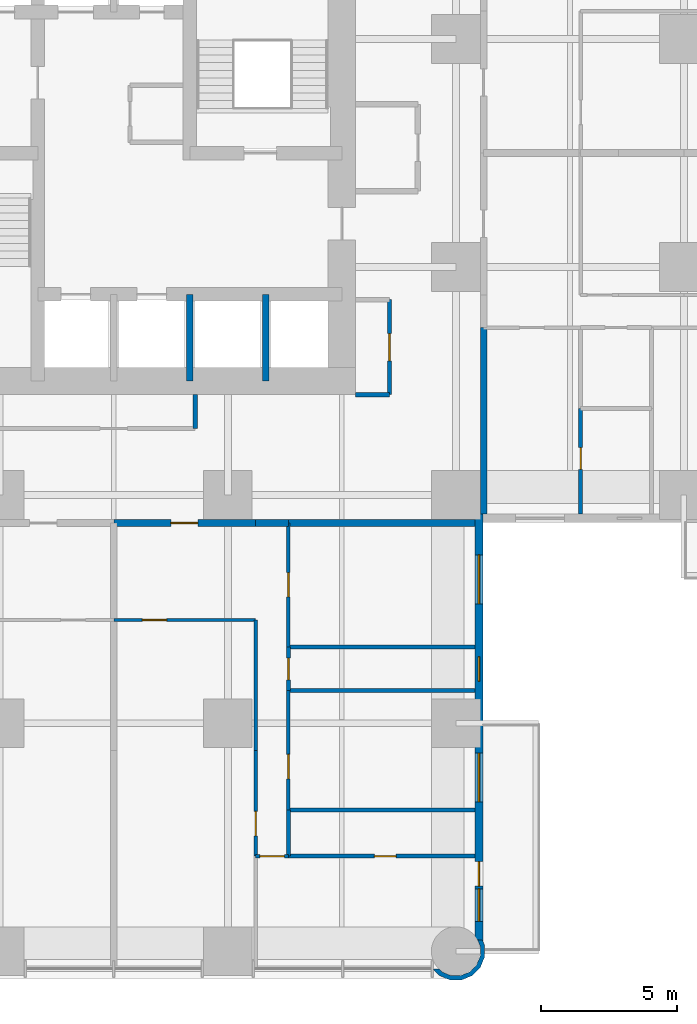
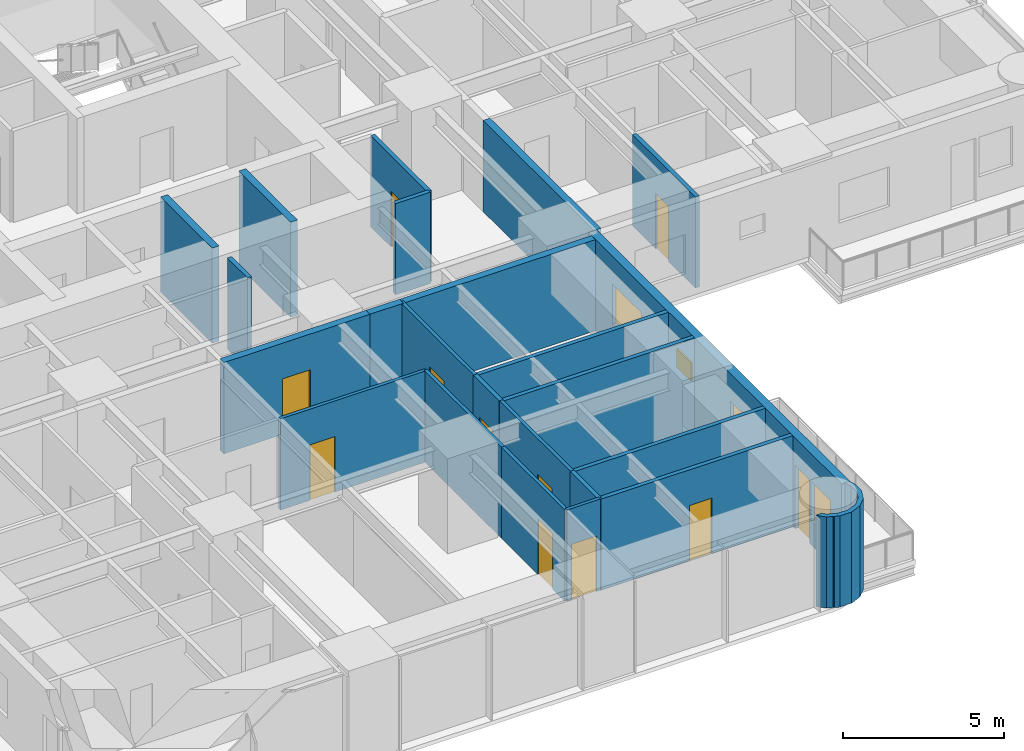
# One storey, part 9 of 17: 24 walls, 11 doors, 4 windows, 15 openings.
"""IFC4 building model written with IfcOpenShell, lengths in metres."""

from ifc_helpers import new_model, si_unit, direction, frame, frame_2d, origin, place, context, subcontext, project, spatial, polyline, rectangle, outline, extrude, material, layer, layer_set, type_object, element, fill, save


model = new_model("IFC4")

# Units and contexts
model_context = context("Model", 3, precision=1e-05, world=origin(), true_north=direction((0.0, 1.0)))
body_context = subcontext(model_context, "Body", "Model", "MODEL_VIEW")
ifc_project = project(units=[si_unit("LENGTHUNIT", "METRE"), si_unit("AREAUNIT", "SQUARE_METRE"), si_unit("VOLUMEUNIT", "CUBIC_METRE"), si_unit("PLANEANGLEUNIT", "RADIAN"), si_unit("MASSUNIT", "GRAM", prefix="KILO")], contexts=[model_context])

# Site, building, storey
site_placement = place(None, origin())
site = spatial("IfcSite", under=ifc_project, at=site_placement, CompositionType="ELEMENT")
building_placement = place(site_placement, origin())
building = spatial("IfcBuilding", under=site, at=building_placement, Name="Torre Alcanfor", CompositionType="ELEMENT")
storey_placement = place(building_placement, frame((0.0, 0.0, 77.699951171875)))
storey = spatial("IfcBuildingStorey", under=building, at=storey_placement, Name="L19", CompositionType="ELEMENT", Elevation=77.699951171875)

# Wall
ifc_material_1 = material(Name="Concrete block masonry, hollow blocks NMX-C-404 9 MPa", Category="masonry")
ifc_layer_1 = layer(ifc_material_1, 0.25)
ifc_layer_set_1 = layer_set([ifc_layer_1], Name="Apartment entrance wall 250 EI 60")
wall_type_1 = type_object("IfcWallType", Name="Apartment entrance wall 250 EI 60", PredefinedType="PARTITIONING", material=ifc_layer_set_1)
wall_1_placement = place(storey_placement, frame((43.02490234375, 22.970947265625, 0.0), z_axis=(0.0, 0.0, 1.0), x_axis=(0.0, -1.0, 0.0)))
element("IfcWall", 1, at=wall_1_placement, inside=storey, type_object=wall_type_1, Name="Partition L19-CORR / L19-E2-SERV", PredefinedType="PARTITIONING", context=body_context, shape_type="SweptSolid", body=[
    extrude(rectangle(XDim=6.870849609375, YDim=0.25, at=frame_2d((3.435546875, 0.0))), origin(), (0.0, 0.0, 1.0), 3.449951171875),
])

# Wall, opening, door
wall_2_placement = place(storey_placement, frame((34.62890625, 15.77490234375, 0.0), z_axis=(0.0, 0.0, 1.0), x_axis=(-1.0, 0.0, 0.0)))
wall_2 = element("IfcWall", 2, at=wall_2_placement, inside=storey, type_object=wall_type_1, Name="Partition L19-CORR / L19-S1-ZAG", PredefinedType="PARTITIONING", context=body_context, shape_type="SweptSolid", body=[
    extrude(rectangle(XDim=5.22900390625, YDim=0.25, at=frame_2d((2.614501953125, 0.0))), origin(), (0.0, 0.0, 1.0), 3.449951171875),
])
opening_1_placement = place(wall_2_placement, frame((2.12890625, 0.0, 0.0)))
opening_1 = element("IfcOpeningElement", 3, at=opening_1_placement, cuts=wall_2, Name="Opening D-A1", PredefinedType="OPENING", context=body_context, shape_type="SweptSolid", body=[
    extrude(rectangle(XDim=1.0, YDim=2.10009765625, at=frame_2d((0.5, 1.050048828125))), frame((0.0, 0.135009765625, 0.0), z_axis=(0.0, -1.0, 0.0), x_axis=(1.0, 0.0, 0.0)), (0.0, 0.0, 1.0), 0.27001953125),
])
ifc_material_2 = material(Name="Galvanised steel sheet ASTM A653", Category="steel")
door_type_1 = type_object("IfcDoorType", Name="Apartment entrance door FD60 1000x2100", OperationType="SINGLE_SWING_LEFT", PredefinedType="DOOR", material=ifc_material_2)
door_1_placement = place(opening_1_placement, origin())
door_1 = element("IfcDoor", 4, at=door_1_placement, inside=storey, type_object=door_type_1, Name="Apartment entrance L19-S1", OperationType="SINGLE_SWING_RIGHT", OverallHeight=2.10009765625, OverallWidth=1.0, PredefinedType="DOOR", context=body_context, shape_type="SweptSolid", body=[
    extrude(rectangle(XDim=1.0, YDim=2.10009765625, at=frame_2d((0.5, 1.050048828125))), frame((0.0, 0.02490234375, 0.0), z_axis=(0.0, -1.0, 0.0), x_axis=(1.0, 0.0, 0.0)), (0.0, 0.0, 1.0), 0.050048828125),
])
fill(opening_1, door_1)

# Walls
wall_3_placement = place(storey_placement, frame((35.8291015625, 15.77490234375, 0.0), z_axis=(0.0, 0.0, 1.0), x_axis=(-1.0, 0.0, 0.0)))
element("IfcWall", 5, at=wall_3_placement, inside=storey, type_object=wall_type_1, Name="Partition L19-CORR / L19-S1-HALL", PredefinedType="PARTITIONING", context=body_context, shape_type="SweptSolid", body=[
    extrude(rectangle(XDim=1.2001953125, YDim=0.25, at=frame_2d((0.60009765625, 0.0))), origin(), (0.0, 0.0, 1.0), 3.449951171875),
])
wall_4_placement = place(storey_placement, frame((42.699951171875, 15.77490234375, 0.0), z_axis=(0.0, 0.0, 1.0), x_axis=(-1.0, 0.0, 0.0)))
element("IfcWall", 6, at=wall_4_placement, inside=storey, type_object=wall_type_1, Name="Partition L19-CORR / L19-S1-BED3", PredefinedType="PARTITIONING", context=body_context, shape_type="SweptSolid", body=[
    extrude(rectangle(XDim=6.870849609375, YDim=0.25, at=frame_2d((3.435546875, 0.0))), origin(), (0.0, 0.0, 1.0), 3.449951171875),
])

# Wall, opening, door
ifc_material_3 = material(Name="Gypsum board on steel studs", Category="steel")
ifc_layer_2 = layer(ifc_material_3, 0.1201171875)
ifc_layer_set_2 = layer_set([ifc_layer_2], Name="Apartment partition 120")
wall_type_2 = type_object("IfcWallType", Name="Apartment partition 120", PredefinedType="PARTITIONING", material=ifc_layer_set_2)
wall_5_placement = place(storey_placement, frame((29.39990234375, 12.199951171875, 0.0), z_axis=(0.0, 0.0, 1.0), x_axis=(1.0, 0.0, 0.0)))
wall_5 = element("IfcWall", 7, at=wall_5_placement, inside=storey, type_object=wall_type_2, Name="Partition L19-S1-ZAG / L19-S1-KITCHEN", PredefinedType="PARTITIONING", context=body_context, shape_type="SweptSolid", body=[
    extrude(rectangle(XDim=5.22900390625, YDim=0.1201171875, at=frame_2d((2.614501953125, 0.0))), origin(), (0.0, 0.0, 1.0), 3.449951171875),
])
opening_2_placement = place(wall_5_placement, frame((1.050048828125, 0.0, 0.0)))
opening_2 = element("IfcOpeningElement", 8, at=opening_2_placement, cuts=wall_5, Name="Opening D-R1", PredefinedType="OPENING", context=body_context, shape_type="SweptSolid", body=[
    extrude(rectangle(XDim=0.89990234375, YDim=2.10009765625, at=frame_2d((0.449951171875, 1.050048828125))), frame((0.0, 0.070068359375, 0.0), z_axis=(0.0, -1.0, 0.0), x_axis=(1.0, 0.0, 0.0)), (0.0, 0.0, 1.0), 0.14013671875),
])
ifc_material_4 = material(Name="Timber", Category="wood")
door_type_2 = type_object("IfcDoorType", Name="Internal door 900x2100", OperationType="SINGLE_SWING_LEFT", PredefinedType="DOOR", material=ifc_material_4)
door_2_placement = place(opening_2_placement, frame((0.89990234375, 0.0, 0.0), z_axis=(0.0, 0.0, 1.0), x_axis=(-1.0, 0.0, 0.0)))
door_2 = element("IfcDoor", 9, at=door_2_placement, inside=storey, type_object=door_type_2, Name="Door L19-S1 kitchen", OperationType="SINGLE_SWING_RIGHT", OverallHeight=2.10009765625, OverallWidth=0.89990234375, PredefinedType="DOOR", context=body_context, shape_type="SweptSolid", body=[
    extrude(rectangle(XDim=0.89990234375, YDim=2.10009765625, at=frame_2d((0.449951171875, 1.050048828125))), frame((0.0, 0.025146484375, 0.0), z_axis=(0.0, -1.0, 0.0), x_axis=(1.0, 0.0, 0.0)), (0.0, 0.0, 1.0), 0.050048828125),
])
fill(opening_2, door_2)

# Wall
wall_6_placement = place(storey_placement, frame((34.62890625, 7.39990234375, 0.0), z_axis=(0.0, 0.0, 1.0), x_axis=(0.0, 1.0, 0.0)))
element("IfcWall", 10, at=wall_6_placement, inside=storey, type_object=wall_type_2, Name="Partition L19-S1-KITCHEN / L19-S1-HALL", PredefinedType="PARTITIONING", context=body_context, shape_type="SweptSolid", body=[
    extrude(rectangle(XDim=4.800048828125, YDim=0.1201171875, at=frame_2d((2.39990234375, 0.0))), origin(), (0.0, 0.0, 1.0), 3.449951171875),
])

# Wall, opening, door
wall_7_placement = place(storey_placement, frame((34.62890625, 3.5, 0.0), z_axis=(0.0, 0.0, 1.0), x_axis=(0.0, 1.0, 0.0)))
wall_7 = element("IfcWall", 11, at=wall_7_placement, inside=storey, type_object=wall_type_2, Name="Partition L19-S1-LIVING / L19-S1-HALL", PredefinedType="PARTITIONING", context=body_context, shape_type="SweptSolid", body=[
    extrude(rectangle(XDim=3.89990234375, YDim=0.1201171875, at=frame_2d((1.949951171875, 0.0))), origin(), (0.0, 0.0, 1.0), 3.449951171875),
])
opening_3_placement = place(wall_7_placement, frame((0.75, 0.0, 0.0)))
opening_3 = element("IfcOpeningElement", 12, at=opening_3_placement, cuts=wall_7, Name="Opening D-R1", PredefinedType="OPENING", context=body_context, shape_type="SweptSolid", body=[
    extrude(rectangle(XDim=0.89990234375, YDim=2.10009765625, at=frame_2d((0.449951171875, 1.050048828125))), frame((0.0, 0.070068359375, 0.0), z_axis=(0.0, -1.0, 0.0), x_axis=(1.0, 0.0, 0.0)), (0.0, 0.0, 1.0), 0.14013671875),
])
door_3_placement = place(opening_3_placement, origin())
door_3 = element("IfcDoor", 13, at=door_3_placement, inside=storey, type_object=door_type_2, Name="Door L19-S1 living", OperationType="SINGLE_SWING_RIGHT", OverallHeight=2.10009765625, OverallWidth=0.89990234375, PredefinedType="DOOR", context=body_context, shape_type="SweptSolid", body=[
    extrude(rectangle(XDim=0.89990234375, YDim=2.10009765625, at=frame_2d((0.449951171875, 1.050048828125))), frame((0.0, 0.02490234375, 0.0), z_axis=(0.0, -1.0, 0.0), x_axis=(1.0, 0.0, 0.0)), (0.0, 0.0, 1.0), 0.050048828125),
])
fill(opening_3, door_3)

wall_8_placement = place(storey_placement, frame((35.8291015625, 11.199951171875, 0.0), z_axis=(0.0, 0.0, 1.0), x_axis=(0.0, 1.0, 0.0)))
wall_8 = element("IfcWall", 14, at=wall_8_placement, inside=storey, type_object=wall_type_2, Name="Partition L19-S1-HALL / L19-S1-BED3", PredefinedType="PARTITIONING", context=body_context, shape_type="SweptSolid", body=[
    extrude(rectangle(XDim=4.574951171875, YDim=0.1201171875, at=frame_2d((2.28759765625, 0.0))), origin(), (0.0, 0.0, 1.0), 3.449951171875),
])
opening_4_placement = place(wall_8_placement, frame((1.85009765625, 0.0, 0.0)))
opening_4 = element("IfcOpeningElement", 15, at=opening_4_placement, cuts=wall_8, Name="Opening D-R1", PredefinedType="OPENING", context=body_context, shape_type="SweptSolid", body=[
    extrude(rectangle(XDim=0.89990234375, YDim=2.10009765625, at=frame_2d((0.449951171875, 1.050048828125))), frame((0.0, 0.070068359375, 0.0), z_axis=(0.0, -1.0, 0.0), x_axis=(1.0, 0.0, 0.0)), (0.0, 0.0, 1.0), 0.14013671875),
])
door_4_placement = place(opening_4_placement, frame((0.89990234375, 0.0, 0.0), z_axis=(0.0, 0.0, 1.0), x_axis=(-1.0, 0.0, 0.0)))
door_4 = element("IfcDoor", 16, at=door_4_placement, inside=storey, type_object=door_type_2, Name="Door L19-S1 bed3", OperationType="SINGLE_SWING_LEFT", OverallHeight=2.10009765625, OverallWidth=0.89990234375, PredefinedType="DOOR", context=body_context, shape_type="SweptSolid", body=[
    extrude(rectangle(XDim=0.89990234375, YDim=2.10009765625, at=frame_2d((0.449951171875, 1.050048828125))), frame((0.0, 0.025146484375, 0.0), z_axis=(0.0, -1.0, 0.0), x_axis=(1.0, 0.0, 0.0)), (0.0, 0.0, 1.0), 0.050048828125),
])
fill(opening_4, door_4)

wall_9_placement = place(storey_placement, frame((35.8291015625, 5.199951171875, 0.0), z_axis=(0.0, 0.0, 1.0), x_axis=(0.0, 1.0, 0.0)))
wall_9 = element("IfcWall", 17, at=wall_9_placement, inside=storey, type_object=wall_type_2, Name="Partition L19-S1-HALL / L19-S1-BED2", PredefinedType="PARTITIONING", context=body_context, shape_type="SweptSolid", body=[
    extrude(rectangle(XDim=4.400146484375, YDim=0.1201171875, at=frame_2d((2.2001953125, 0.0))), origin(), (0.0, 0.0, 1.0), 3.449951171875),
])
opening_5_placement = place(wall_9_placement, frame((1.14990234375, 0.0, 0.0)))
opening_5 = element("IfcOpeningElement", 18, at=opening_5_placement, cuts=wall_9, Name="Opening D-R1", PredefinedType="OPENING", context=body_context, shape_type="SweptSolid", body=[
    extrude(rectangle(XDim=0.89990234375, YDim=2.10009765625, at=frame_2d((0.449951171875, 1.050048828125))), frame((0.0, 0.070068359375, 0.0), z_axis=(0.0, -1.0, 0.0), x_axis=(1.0, 0.0, 0.0)), (0.0, 0.0, 1.0), 0.14013671875),
])
door_5_placement = place(opening_5_placement, frame((0.89990234375, 0.0, 0.0), z_axis=(0.0, 0.0, 1.0), x_axis=(-1.0, 0.0, 0.0)))
door_5 = element("IfcDoor", 19, at=door_5_placement, inside=storey, type_object=door_type_2, Name="Door L19-S1 bed2", OperationType="SINGLE_SWING_RIGHT", OverallHeight=2.10009765625, OverallWidth=0.89990234375, PredefinedType="DOOR", context=body_context, shape_type="SweptSolid", body=[
    extrude(rectangle(XDim=0.89990234375, YDim=2.10009765625, at=frame_2d((0.449951171875, 1.050048828125))), frame((0.0, 0.025146484375, 0.0), z_axis=(0.0, -1.0, 0.0), x_axis=(1.0, 0.0, 0.0)), (0.0, 0.0, 1.0), 0.050048828125),
])
fill(opening_5, door_5)

wall_10_placement = place(storey_placement, frame((34.62890625, 3.5, 0.0), z_axis=(0.0, 0.0, 1.0), x_axis=(1.0, 0.0, 0.0)))
wall_10 = element("IfcWall", 20, at=wall_10_placement, inside=storey, type_object=wall_type_2, Name="Partition L19-S1-HALL / L19-S1-MASTER", PredefinedType="PARTITIONING", context=body_context, shape_type="SweptSolid", body=[
    extrude(rectangle(XDim=1.2001953125, YDim=0.1201171875, at=frame_2d((0.60009765625, 0.0))), origin(), (0.0, 0.0, 1.0), 3.449951171875),
])
opening_6_placement = place(wall_10_placement, frame((0.15087890625, 0.0, 0.0)))
opening_6 = element("IfcOpeningElement", 21, at=opening_6_placement, cuts=wall_10, Name="Opening D-R1", PredefinedType="OPENING", context=body_context, shape_type="SweptSolid", body=[
    extrude(rectangle(XDim=0.89990234375, YDim=2.10009765625, at=frame_2d((0.449951171875, 1.050048828125))), frame((0.0, 0.070068359375, 0.0), z_axis=(0.0, -1.0, 0.0), x_axis=(1.0, 0.0, 0.0)), (0.0, 0.0, 1.0), 0.14013671875),
])
door_6_placement = place(opening_6_placement, frame((0.89990234375, 0.0, 0.0), z_axis=(0.0, 0.0, 1.0), x_axis=(-1.0, 0.0, 0.0)))
door_6 = element("IfcDoor", 22, at=door_6_placement, inside=storey, type_object=door_type_2, Name="Door L19-S1 master", OperationType="SINGLE_SWING_RIGHT", OverallHeight=2.10009765625, OverallWidth=0.89990234375, PredefinedType="DOOR", context=body_context, shape_type="SweptSolid", body=[
    extrude(rectangle(XDim=0.89990234375, YDim=2.10009765625, at=frame_2d((0.449951171875, 1.050048828125))), frame((0.0, 0.025146484375, 0.0), z_axis=(0.0, -1.0, 0.0), x_axis=(1.0, 0.0, 0.0)), (0.0, 0.0, 1.0), 0.050048828125),
])
fill(opening_6, door_6)

# Walls
ifc_material_5 = material(Name="Concrete f'c 70 MPa", Category="concrete")
ifc_layer_3 = layer(ifc_material_5, 0.25)
ifc_layer_set_3 = layer_set([ifc_layer_3], Name="Core shaft wall 250 f'c70")
wall_type_3 = type_object("IfcWallType", Name="Core shaft wall 250 f'c70", PredefinedType="SHEAR", material=ifc_layer_set_3)
for number, where, z_axis, x_axis, name in (
    (23, (32.199951171875, 21.0, 0.0), (0.0, 0.0, 1.0), (0.0, 1.0, 0.0), "Core wall X322S L19"),
    (24, (35.0, 21.0, 0.0), (0.0, 0.0, 1.0), (0.0, 1.0, 0.0), "Core wall X350S L19"),
):
    element("IfcWall", number, at=place(storey_placement, frame(where, z_axis=z_axis, x_axis=x_axis)), inside=storey, type_object=wall_type_3, Name=name, PredefinedType="SHEAR", context=body_context, shape_type="SweptSolid", body=[
        extrude(rectangle(XDim=3.199951171875, YDim=0.25, at=frame_2d((1.60009765625, 0.0))), origin(), (0.0, 0.0, 1.0), 3.60009765625),
    ])

# Wall, openings, door, windows
ifc_material_6 = material(Name="Limestone cladding", Category="masonry")
ifc_layer_4 = layer(ifc_material_6, 0.0400390625, Name="Facing")
ifc_material_7 = material(Name="Ventilated air cavity")
ifc_layer_5 = layer(ifc_material_7, 0.02001953125, ventilated=True, Name="Ventilated joint")
ifc_material_8 = material(Name="Mineral wool insulation", Category="insulation")
ifc_layer_6 = layer(ifc_material_8, 0.10009765625, Name="Insulation")
ifc_material_9 = material(Name="Concrete f'c 35 MPa", Category="concrete")
ifc_layer_7 = layer(ifc_material_9, 0.139892578125, Name="Backing")
ifc_layer_set_4 = layer_set([ifc_layer_4, ifc_layer_5, ifc_layer_6, ifc_layer_7], Name="External wall stone-clad 300")
wall_type_4 = type_object("IfcWallType", Name="External wall stone-clad 300", PredefinedType="SOLIDWALL", material=ifc_layer_set_4)
wall_11_placement = place(storey_placement, frame((42.85009765625, 0.39990234375, 0.0), z_axis=(0.0, 0.0, 1.0), x_axis=(0.0, 1.0, 0.0)))
wall_11 = element("IfcWall", 25, at=wall_11_placement, inside=storey, type_object=wall_type_4, Name="External wall L19 6", PredefinedType="SOLIDWALL", context=body_context, shape_type="SweptSolid", body=[
    extrude(rectangle(XDim=15.7001953125, YDim=0.300048828125, at=frame_2d((7.85009765625, 0.0))), origin(), (0.0, 0.0, 1.0), 3.449951171875),
])
opening_7_placement = place(wall_11_placement, frame((12.39990234375, 0.0, 0.89990234375)))
opening_7 = element("IfcOpeningElement", 26, at=opening_7_placement, cuts=wall_11, Name="Opening W2", PredefinedType="OPENING", context=body_context, shape_type="SweptSolid", body=[
    extrude(rectangle(XDim=1.800048828125, YDim=1.5, at=frame_2d((0.89990234375, 0.75))), frame((0.0, 0.159912109375, 0.0), z_axis=(0.0, -1.0, 0.0), x_axis=(1.0, 0.0, 0.0)), (0.0, 0.0, 1.0), 0.320068359375),
])
opening_8_placement = place(wall_11_placement, frame((9.550048828125, 0.0, 1.5)))
opening_8 = element("IfcOpeningElement", 27, at=opening_8_placement, cuts=wall_11, Name="Opening W3", PredefinedType="OPENING", context=body_context, shape_type="SweptSolid", body=[
    extrude(rectangle(XDim=0.89990234375, YDim=0.699951171875, at=frame_2d((0.449951171875, 0.35009765625))), frame((0.0, 0.159912109375, 0.0), z_axis=(0.0, -1.0, 0.0), x_axis=(1.0, 0.0, 0.0)), (0.0, 0.0, 1.0), 0.320068359375),
])
opening_9_placement = place(wall_11_placement, frame((5.10009765625, 0.0, 0.89990234375)))
opening_9 = element("IfcOpeningElement", 28, at=opening_9_placement, cuts=wall_11, Name="Opening W2", PredefinedType="OPENING", context=body_context, shape_type="SweptSolid", body=[
    extrude(rectangle(XDim=1.800048828125, YDim=1.5, at=frame_2d((0.89990234375, 0.75))), frame((0.0, 0.159912109375, 0.0), z_axis=(0.0, -1.0, 0.0), x_axis=(1.0, 0.0, 0.0)), (0.0, 0.0, 1.0), 0.320068359375),
])
opening_10_placement = place(wall_11_placement, frame((2.0, 0.0, 0.0)))
opening_10 = element("IfcOpeningElement", 29, at=opening_10_placement, cuts=wall_11, Name="Opening D-B1", PredefinedType="OPENING", context=body_context, shape_type="SweptSolid", body=[
    extrude(rectangle(XDim=0.89990234375, YDim=2.39990234375, at=frame_2d((0.449951171875, 1.199951171875))), frame((0.0, 0.159912109375, 0.0), z_axis=(0.0, -1.0, 0.0), x_axis=(1.0, 0.0, 0.0)), (0.0, 0.0, 1.0), 0.320068359375),
])
opening_11_placement = place(wall_11_placement, frame((0.699951171875, 0.0, 0.89990234375)))
opening_11 = element("IfcOpeningElement", 30, at=opening_11_placement, cuts=wall_11, Name="Opening W4", PredefinedType="OPENING", context=body_context, shape_type="SweptSolid", body=[
    extrude(rectangle(XDim=1.199951171875, YDim=1.5, at=frame_2d((0.60009765625, 0.75))), frame((0.0, 0.159912109375, 0.0), z_axis=(0.0, -1.0, 0.0), x_axis=(1.0, 0.0, 0.0)), (0.0, 0.0, 1.0), 0.320068359375),
])
ifc_material_10 = material(Name="Aluminium and glass", Category="aluminium")
door_type_3 = type_object("IfcDoorType", Name="Balcony door glazed 900x2400", OperationType="SINGLE_SWING_LEFT", PredefinedType="DOOR", material=ifc_material_10)
door_7_placement = place(opening_10_placement, origin())
door_7 = element("IfcDoor", 31, at=door_7_placement, inside=storey, type_object=door_type_3, Name="Balcony door L19-S1", OperationType="SINGLE_SWING_RIGHT", OverallHeight=2.39990234375, OverallWidth=0.89990234375, PredefinedType="DOOR", context=body_context, shape_type="SweptSolid", body=[
    extrude(rectangle(XDim=0.89990234375, YDim=2.39990234375, at=frame_2d((0.449951171875, 1.199951171875))), frame((0.0, 0.02490234375, 0.0), z_axis=(0.0, -1.0, 0.0), x_axis=(1.0, 0.0, 0.0)), (0.0, 0.0, 1.0), 0.050048828125),
])
fill(opening_10, door_7)
ifc_material_11 = material(Name="Aluminium frame with clear double glazing", Category="aluminium")
window_type_1 = type_object("IfcWindowType", Name="Window bathroom 900x700", PartitioningType="SINGLE_PANEL", PredefinedType="WINDOW", material=ifc_material_11)
window_1_placement = place(opening_8_placement, origin())
window_1 = element("IfcWindow", 32, at=window_1_placement, inside=storey, type_object=window_type_1, Name="Window W3 L19-S1", OverallHeight=0.699951171875, OverallWidth=0.89990234375, PartitioningType="SINGLE_PANEL", PredefinedType="WINDOW", context=body_context, shape_type="SweptSolid", body=[
    extrude(rectangle(XDim=0.89990234375, YDim=0.699951171875, at=frame_2d((0.449951171875, 0.35009765625))), frame((0.0, 0.030029296875, 0.0), z_axis=(0.0, -1.0, 0.0), x_axis=(1.0, 0.0, 0.0)), (0.0, 0.0, 1.0), 0.06005859375),
])
fill(opening_8, window_1)
ifc_material_12 = material(Name="Aluminium frame with clear double glazing", Category="aluminium")
window_type_2 = type_object("IfcWindowType", Name="Window bedroom 1200x1500", PartitioningType="SINGLE_PANEL", PredefinedType="WINDOW", material=ifc_material_12)
window_2_placement = place(opening_11_placement, origin())
window_2 = element("IfcWindow", 33, at=window_2_placement, inside=storey, type_object=window_type_2, Name="Window W4 L19-S1", OverallHeight=1.5, OverallWidth=1.199951171875, PartitioningType="SINGLE_PANEL", PredefinedType="WINDOW", context=body_context, shape_type="SweptSolid", body=[
    extrude(rectangle(XDim=1.199951171875, YDim=1.5, at=frame_2d((0.60009765625, 0.75))), frame((0.0, 0.030029296875, 0.0), z_axis=(0.0, -1.0, 0.0), x_axis=(1.0, 0.0, 0.0)), (0.0, 0.0, 1.0), 0.06005859375),
])
fill(opening_11, window_2)
ifc_material_13 = material(Name="Aluminium frame with clear double glazing", Category="aluminium")
window_type_3 = type_object("IfcWindowType", Name="Window bedroom 1800x1500", PartitioningType="SINGLE_PANEL", PredefinedType="WINDOW", material=ifc_material_13)
window_3_placement = place(opening_7_placement, origin())
window_3 = element("IfcWindow", 34, at=window_3_placement, inside=storey, type_object=window_type_3, Name="Window W2 L19-S1", OverallHeight=1.5, OverallWidth=1.800048828125, PartitioningType="SINGLE_PANEL", PredefinedType="WINDOW", context=body_context, shape_type="SweptSolid", body=[
    extrude(rectangle(XDim=1.800048828125, YDim=1.5, at=frame_2d((0.89990234375, 0.75))), frame((0.0, 0.030029296875, 0.0), z_axis=(0.0, -1.0, 0.0), x_axis=(1.0, 0.0, 0.0)), (0.0, 0.0, 1.0), 0.06005859375),
])
fill(opening_7, window_3)
window_4_placement = place(opening_9_placement, origin())
window_4 = element("IfcWindow", 35, at=window_4_placement, inside=storey, type_object=window_type_3, Name="Window W2 L19-S1", OverallHeight=1.5, OverallWidth=1.800048828125, PartitioningType="SINGLE_PANEL", PredefinedType="WINDOW", context=body_context, shape_type="SweptSolid", body=[
    extrude(rectangle(XDim=1.800048828125, YDim=1.5, at=frame_2d((0.89990234375, 0.75))), frame((0.0, 0.030029296875, 0.0), z_axis=(0.0, -1.0, 0.0), x_axis=(1.0, 0.0, 0.0)), (0.0, 0.0, 1.0), 0.06005859375),
])
fill(opening_9, window_4)

# Wall
ifc_material_14 = material(Name="Concrete block masonry, hollow blocks NMX-C-404 9 MPa", Category="masonry")
ifc_layer_8 = layer(ifc_material_14, 0.14990234375)
ifc_layer_set_5 = layer_set([ifc_layer_8], Name="Residents' room partition 150")
wall_type_5 = type_object("IfcWallType", Name="Residents' room partition 150", PredefinedType="PARTITIONING", material=ifc_layer_set_5)
wall_12_placement = place(storey_placement, frame((38.300048828125, 20.5, 0.0), z_axis=(0.0, 0.0, 1.0), x_axis=(1.0, 0.0, 0.0)))
element("IfcWall", 36, at=wall_12_placement, inside=storey, type_object=wall_type_5, Name="Partition L19-CORR / L19-G03", PredefinedType="PARTITIONING", context=body_context, shape_type="SweptSolid", body=[
    extrude(rectangle(XDim=1.25, YDim=0.14990234375, at=frame_2d((0.625, 0.0))), origin(), (0.0, 0.0, 1.0), 3.449951171875),
])

# Wall, opening, door
wall_13_placement = place(storey_placement, frame((39.550048828125, 20.5, 0.0), z_axis=(0.0, 0.0, 1.0), x_axis=(0.0, 1.0, 0.0)))
wall_13 = element("IfcWall", 37, at=wall_13_placement, inside=storey, type_object=wall_type_5, Name="Partition L19-CORR / L19-G03", PredefinedType="PARTITIONING", context=body_context, shape_type="SweptSolid", body=[
    extrude(rectangle(XDim=3.5, YDim=0.14990234375, at=frame_2d((1.75, 0.0))), origin(), (0.0, 0.0, 1.0), 3.449951171875),
])
opening_12_placement = place(wall_13_placement, frame((1.25, 0.0, 0.0)))
opening_12 = element("IfcOpeningElement", 38, at=opening_12_placement, cuts=wall_13, Name="Opening D-M1", PredefinedType="OPENING", context=body_context, shape_type="SweptSolid", body=[
    extrude(rectangle(XDim=1.0, YDim=2.10009765625, at=frame_2d((0.5, 1.050048828125))), frame((0.0, 0.0849609375, 0.0), z_axis=(0.0, -1.0, 0.0), x_axis=(1.0, 0.0, 0.0)), (0.0, 0.0, 1.0), 0.169921875),
])
ifc_material_15 = material(Name="Timber", Category="wood")
door_type_4 = type_object("IfcDoorType", Name="Residents' room door 1000x2100", OperationType="SINGLE_SWING_LEFT", PredefinedType="DOOR", material=ifc_material_15)
door_8_placement = place(opening_12_placement, origin())
door_8 = element("IfcDoor", 39, at=door_8_placement, inside=storey, type_object=door_type_4, Name="Door L19-G03 bicycle store", OperationType="SINGLE_SWING_LEFT", OverallHeight=2.10009765625, OverallWidth=1.0, PredefinedType="DOOR", context=body_context, shape_type="SweptSolid", body=[
    extrude(rectangle(XDim=1.0, YDim=2.10009765625, at=frame_2d((0.5, 1.050048828125))), frame((0.0, 0.02490234375, 0.0), z_axis=(0.0, -1.0, 0.0), x_axis=(1.0, 0.0, 0.0)), (0.0, 0.0, 1.0), 0.050048828125),
])
fill(opening_12, door_8)

# Walls
wall_14_placement = place(storey_placement, frame((32.39990234375, 19.25, 0.0), z_axis=(0.0, 0.0, 1.0), x_axis=(0.0, 1.0, 0.0)))
element("IfcWall", 40, at=wall_14_placement, inside=storey, type_object=wall_type_5, Name="Partition L19-CORR / L19-G05", PredefinedType="PARTITIONING", context=body_context, shape_type="SweptSolid", body=[
    extrude(rectangle(XDim=1.25, YDim=0.14990234375, at=frame_2d((0.625, 0.0))), origin(), (0.0, 0.0, 1.0), 3.449951171875),
])
ifc_layer_9 = layer(ifc_material_6, 0.0400390625, Name="Facing")
ifc_layer_10 = layer(ifc_material_7, 0.02001953125, ventilated=True, Name="Ventilated joint")
ifc_layer_11 = layer(ifc_material_8, 0.10009765625, Name="Insulation")
ifc_layer_12 = layer(ifc_material_9, 0.139892578125, Name="Backing")
ifc_layer_set_6 = layer_set([ifc_layer_9, ifc_layer_10, ifc_layer_11, ifc_layer_12], Name="Rounded corner pier stone-clad 300")
wall_type_6 = type_object("IfcWallType", Name="Rounded corner pier stone-clad 300", PredefinedType="SOLIDWALL", material=ifc_layer_set_6)
wall_15_placement = place(storey_placement, frame((41.23340608, -0.610519256, 0.0), z_axis=(0.0, 0.0, 1.0), x_axis=(0.377204953059, -0.926129809145, 0.0)))
element("IfcWall", 41, at=wall_15_placement, inside=storey, type_object=wall_type_6, Name="Corner pier L19 16", PredefinedType="SOLIDWALL", context=body_context, shape_type="SweptSolid", body=[
    extrude(outline(polyline([(0.31873169437185855, 1.8425336525024494), (-0.07152710704046505, 2.001482809968314), (-0.24009471588869835, 2.0005449414227563), (-0.26941358666453996, 2.017231322070639), (-0.37003424962124987, 1.840731870737274), (-0.10240281114565264, 1.842182010528029), (0.22952066537421467, 1.7069923447343507), (0.48468330510664415, 1.4551793700683648), (0.6237907271323827, 1.1248909220292227), (0.6256685839754508, 0.7664021208386822), (0.49047891818177247, 0.4344786443188148), (0.23866594351578668, 0.1793160045863853), (0.09016005264750862, 0.11695717207098313), (0.01086965602056237, -0.07772001681430692), (0.024436010646714988, -0.08324547999388505), (0.3295868985749782, 0.04527476829386376), (0.48015223740573765, 0.19747796194128653), (0.49902760591309464, 0.19268993376963664), (0.5075741737852856, 0.2253240824532252), (0.6260202259498713, 0.3452676153211709), (0.7849693834157356, 0.7355264167334946), (0.7824906971943995, 1.1572636358175066), (0.6187245413991658, 1.5461003251275562), (0.31873169437185855, 1.8425336525024494)])), origin(), (0.0, 0.0, 1.0), 3.449951171875),
])

# Wall, opening, door
ifc_material_16 = material(Name="Cement board on steel studs", Category="steel")
ifc_layer_13 = layer(ifc_material_16, 0.14990234375)
ifc_layer_set_7 = layer_set([ifc_layer_13], Name="Wet area partition 150")
wall_type_7 = type_object("IfcWallType", Name="Wet area partition 150", PredefinedType="PARTITIONING", material=ifc_layer_set_7)
wall_16_placement = place(storey_placement, frame((46.60009765625, 20.0, 0.0), z_axis=(0.0, 0.0, 1.0), x_axis=(0.0, -1.0, 0.0)))
wall_16 = element("IfcWall", 42, at=wall_16_placement, inside=storey, type_object=wall_type_7, Name="Partition L19-E2-SERV / L19-E2-SBATH", PredefinedType="PARTITIONING", context=body_context, shape_type="SweptSolid", body=[
    extrude(rectangle(XDim=3.89990234375, YDim=0.14990234375, at=frame_2d((1.949951171875, 0.0))), origin(), (0.0, 0.0, 1.0), 3.449951171875),
])
opening_13_placement = place(wall_16_placement, frame((1.449951171875, 0.0, 0.0)))
opening_13 = element("IfcOpeningElement", 43, at=opening_13_placement, cuts=wall_16, Name="Opening D-R2", PredefinedType="OPENING", context=body_context, shape_type="SweptSolid", body=[
    extrude(rectangle(XDim=0.800048828125, YDim=2.10009765625, at=frame_2d((0.39990234375, 1.050048828125))), frame((0.0, 0.0849609375, 0.0), z_axis=(0.0, -1.0, 0.0), x_axis=(1.0, 0.0, 0.0)), (0.0, 0.0, 1.0), 0.169921875),
])
ifc_material_17 = material(Name="Timber", Category="wood")
door_type_5 = type_object("IfcDoorType", Name="Bathroom door 800x2100", OperationType="SINGLE_SWING_LEFT", PredefinedType="DOOR", material=ifc_material_17)
door_9_placement = place(opening_13_placement, origin())
door_9 = element("IfcDoor", 44, at=door_9_placement, inside=storey, type_object=door_type_5, Name="Door L19-E2 sbath", OperationType="SINGLE_SWING_LEFT", OverallHeight=2.10009765625, OverallWidth=0.800048828125, PredefinedType="DOOR", context=body_context, shape_type="SweptSolid", body=[
    extrude(rectangle(XDim=0.800048828125, YDim=2.10009765625, at=frame_2d((0.39990234375, 1.050048828125))), frame((0.0, 0.02490234375, 0.0), z_axis=(0.0, -1.0, 0.0), x_axis=(1.0, 0.0, 0.0)), (0.0, 0.0, 1.0), 0.050048828125),
])
fill(opening_13, door_9)

wall_17_placement = place(storey_placement, frame((35.8291015625, 9.60009765625, 0.0), z_axis=(0.0, 0.0, 1.0), x_axis=(0.0, 1.0, 0.0)))
wall_17 = element("IfcWall", 45, at=wall_17_placement, inside=storey, type_object=wall_type_7, Name="Partition L19-S1-HALL / L19-S1-BATH1", PredefinedType="PARTITIONING", context=body_context, shape_type="SweptSolid", body=[
    extrude(rectangle(XDim=1.599853515625, YDim=0.14990234375, at=frame_2d((0.7998046875, 0.0))), origin(), (0.0, 0.0, 1.0), 3.449951171875),
])
opening_14_placement = place(wall_17_placement, frame((0.39990234375, 0.0, 0.0)))
opening_14 = element("IfcOpeningElement", 46, at=opening_14_placement, cuts=wall_17, Name="Opening D-R2", PredefinedType="OPENING", context=body_context, shape_type="SweptSolid", body=[
    extrude(rectangle(XDim=0.800048828125, YDim=2.10009765625, at=frame_2d((0.39990234375, 1.050048828125))), frame((0.0, 0.0849609375, 0.0), z_axis=(0.0, -1.0, 0.0), x_axis=(1.0, 0.0, 0.0)), (0.0, 0.0, 1.0), 0.169921875),
])
door_10_placement = place(opening_14_placement, frame((0.800048828125, 0.0, 0.0), z_axis=(0.0, 0.0, 1.0), x_axis=(-1.0, 0.0, 0.0)))
door_10 = element("IfcDoor", 47, at=door_10_placement, inside=storey, type_object=door_type_5, Name="Door L19-S1 bath1", OperationType="SINGLE_SWING_RIGHT", OverallHeight=2.10009765625, OverallWidth=0.800048828125, PredefinedType="DOOR", context=body_context, shape_type="SweptSolid", body=[
    extrude(rectangle(XDim=0.800048828125, YDim=2.10009765625, at=frame_2d((0.400146484375, 1.050048828125))), frame((0.0, 0.025146484375, 0.0), z_axis=(0.0, -1.0, 0.0), x_axis=(1.0, 0.0, 0.0)), (0.0, 0.0, 1.0), 0.050048828125),
])
fill(opening_14, door_10)

# Walls
wall_18_placement = place(storey_placement, frame((35.8291015625, 3.5, 0.0), z_axis=(0.0, 0.0, 1.0), x_axis=(0.0, 1.0, 0.0)))
element("IfcWall", 48, at=wall_18_placement, inside=storey, type_object=wall_type_7, Name="Partition L19-S1-HALL / L19-S1-ENSBATH", PredefinedType="PARTITIONING", context=body_context, shape_type="SweptSolid", body=[
    extrude(rectangle(XDim=1.699951171875, YDim=0.14990234375, at=frame_2d((0.85009765625, 0.0))), origin(), (0.0, 0.0, 1.0), 3.449951171875),
])
for number, where, z_axis, x_axis, name in (
    (49, (35.8291015625, 11.199951171875, 0.0), (0.0, 0.0, 1.0), (1.0, 0.0, 0.0), "Partition L19-S1-BED3 / L19-S1-BATH1"),
    (50, (35.8291015625, 9.60009765625, 0.0), (0.0, 0.0, 1.0), (1.0, 0.0, 0.0), "Partition L19-S1-BATH1 / L19-S1-BED2"),
    (51, (35.8291015625, 5.199951171875, 0.0), (0.0, 0.0, 1.0), (1.0, 0.0, 0.0), "Partition L19-S1-BED2 / L19-S1-ENSBATH"),
):
    element("IfcWall", number, at=place(storey_placement, frame(where, z_axis=z_axis, x_axis=x_axis)), inside=storey, type_object=wall_type_7, Name=name, PredefinedType="PARTITIONING", context=body_context, shape_type="SweptSolid", body=[
        extrude(rectangle(XDim=6.870849609375, YDim=0.14990234375, at=frame_2d((3.435546875, 0.0))), origin(), (0.0, 0.0, 1.0), 3.449951171875),
    ])

# Wall, opening, door
wall_19_placement = place(storey_placement, frame((35.8291015625, 3.5, 0.0), z_axis=(0.0, 0.0, 1.0), x_axis=(1.0, 0.0, 0.0)))
wall_19 = element("IfcWall", 52, at=wall_19_placement, inside=storey, type_object=wall_type_7, Name="Partition L19-S1-ENSBATH / L19-S1-MASTER", PredefinedType="PARTITIONING", context=body_context, shape_type="SweptSolid", body=[
    extrude(rectangle(XDim=6.870849609375, YDim=0.14990234375, at=frame_2d((3.435546875, 0.0))), origin(), (0.0, 0.0, 1.0), 3.449951171875),
])
opening_15_placement = place(wall_19_placement, frame((3.1708984375, 0.0, 0.0)))
opening_15 = element("IfcOpeningElement", 53, at=opening_15_placement, cuts=wall_19, Name="Opening D-R2", PredefinedType="OPENING", context=body_context, shape_type="SweptSolid", body=[
    extrude(rectangle(XDim=0.800048828125, YDim=2.10009765625, at=frame_2d((0.39990234375, 1.050048828125))), frame((0.0, 0.0849609375, 0.0), z_axis=(0.0, -1.0, 0.0), x_axis=(1.0, 0.0, 0.0)), (0.0, 0.0, 1.0), 0.169921875),
])
door_11_placement = place(opening_15_placement, origin())
door_11 = element("IfcDoor", 54, at=door_11_placement, inside=storey, type_object=door_type_5, Name="Door L19-S1 ensbath", OperationType="SINGLE_SWING_RIGHT", OverallHeight=2.10009765625, OverallWidth=0.800048828125, PredefinedType="DOOR", context=body_context, shape_type="SweptSolid", body=[
    extrude(rectangle(XDim=0.800048828125, YDim=2.10009765625, at=frame_2d((0.39990234375, 1.050048828125))), frame((0.0, 0.02490234375, 0.0), z_axis=(0.0, -1.0, 0.0), x_axis=(1.0, 0.0, 0.0)), (0.0, 0.0, 1.0), 0.050048828125),
])
fill(opening_15, door_11)

save(model, "model.ifc")
